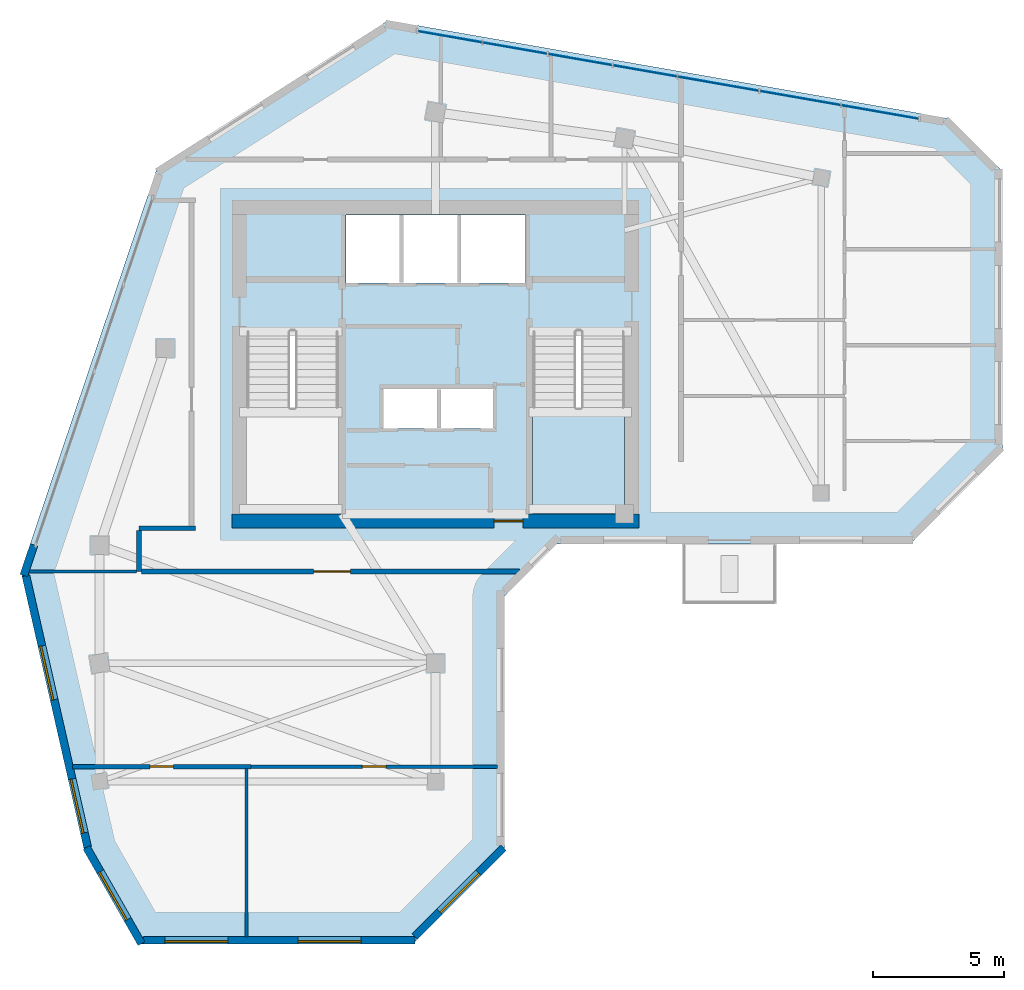
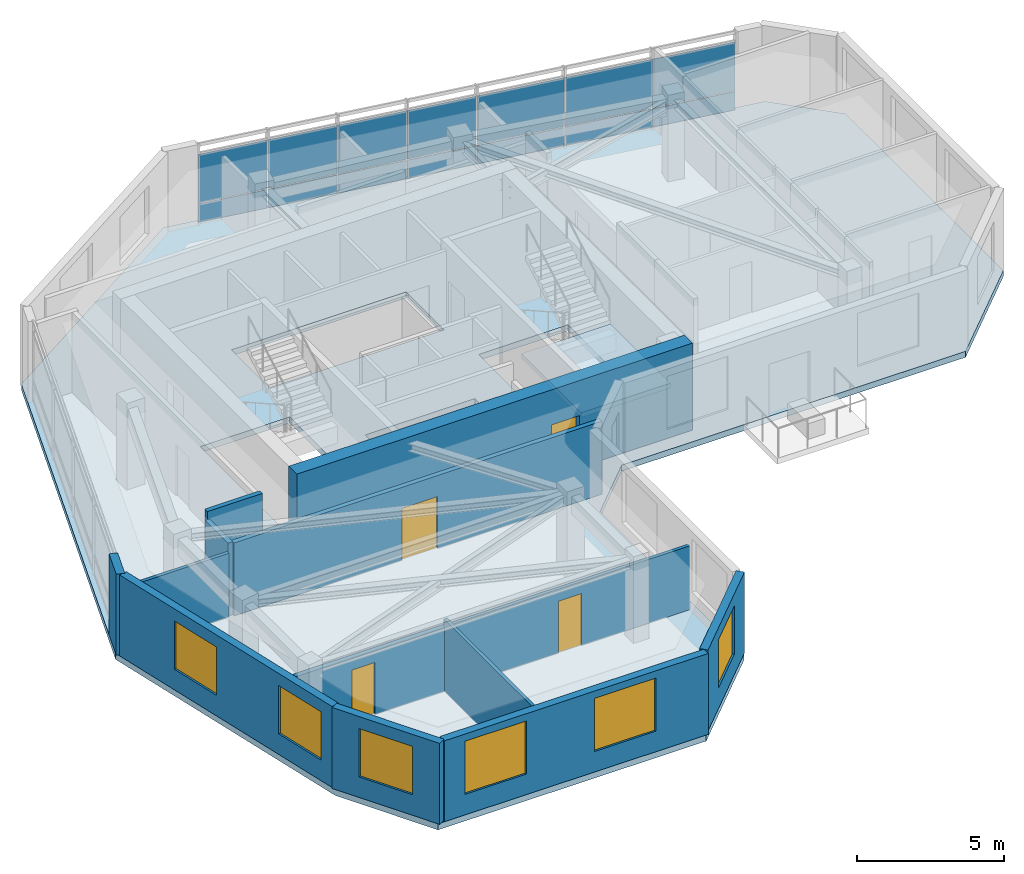
# One storey, part 3 of 9: 14 plates, 13 walls, 6 windows, 4 doors, 2 slabs, 10 openings, 2 elements without a shape of their own.
"""IFC4 building model written with IfcOpenShell, lengths in metres."""

from ifc_helpers import new_model, si_unit, direction, frame, frame_2d, origin, place, context, subcontext, project, spatial, polyline, rectangle, outline, extrude, source, transform, mapped, material, layer, layer_set, type_object, element, fill, aggregate, save


model = new_model("IFC4")

# Units and contexts
model_context = context("Model", 3, precision=1e-05, world=origin(), true_north=direction((0.0, 1.0)))
body_context = subcontext(model_context, "Body", "Model", "MODEL_VIEW")
ifc_project = project(units=[si_unit("LENGTHUNIT", "METRE"), si_unit("AREAUNIT", "SQUARE_METRE"), si_unit("VOLUMEUNIT", "CUBIC_METRE"), si_unit("PLANEANGLEUNIT", "RADIAN"), si_unit("MASSUNIT", "GRAM", prefix="KILO")], contexts=[model_context])

# Site, building, storey
site_placement = place(None, origin())
site = spatial("IfcSite", under=ifc_project, at=site_placement, CompositionType="ELEMENT")
building_placement = place(site_placement, origin())
building = spatial("IfcBuilding", under=site, at=building_placement, Name="Calvemar Wedge Station Tower", CompositionType="ELEMENT")
storey_placement = place(building_placement, frame((0.0, 0.0, 274.5)))
storey = spatial("IfcBuildingStorey", under=building, at=storey_placement, Name="L70", CompositionType="ELEMENT", Elevation=274.5)

# Curtain wall, plates
ifc_material_1 = material(Name="Anodised aluminium 6063-T6", Category="aluminium")
curtain_wall_type = type_object("IfcCurtainWallType", Name="CW4", PredefinedType="NOTDEFINED", material=ifc_material_1)
curtain_wall_placement = place(storey_placement, origin())
curtain_wall = element("IfcCurtainWall", 1, at=curtain_wall_placement, inside=storey, type_object=curtain_wall_type, Name="Storey L70 CW4 Recessed Unitised Curtain Wall 10", PredefinedType="NOTDEFINED")
ifc_material_2 = material(Name="Low-E laminated insulated glass", Category="glass")
ifc_layer_1 = layer(ifc_material_2, 0.028076171875)
ifc_layer_set_1 = layer_set([ifc_layer_1], Name="Low-E laminated insulated glass")
plate_type_1 = type_object("IfcPlateType", Name="CW4-GLZ", PredefinedType="CURTAIN_PANEL", material=ifc_layer_set_1)
plate_1_placement = place(storey_placement, frame((42.2158203125, 49.25, 0.8701171875), z_axis=(0.0, 0.0, 1.0), x_axis=(-0.985039826474, 0.172326841378, 0.0)))
plate_1 = element("IfcPlate", 2, at=plate_1_placement, type_object=plate_type_1, Name="CW4 vision glass panel 1", PredefinedType="CURTAIN_PANEL", context=body_context, shape_type="SweptSolid", body=[
    extrude(rectangle(XDim=2.9892578125, YDim=0.028076171875, at=frame_2d((1.49462890625, 0.0))), origin(), (0.0, 0.0, 1.0), 2.009765625),
])
plate_2_placement = place(storey_placement, frame((39.23583984375, 49.771484375, 0.8701171875), z_axis=(0.0, 0.0, 1.0), x_axis=(-0.985045707379, 0.172293222078, 0.0)))
plate_2 = element("IfcPlate", 3, at=plate_2_placement, type_object=plate_type_1, Name="CW4 vision glass panel 2", PredefinedType="CURTAIN_PANEL", context=body_context, shape_type="SweptSolid", body=[
    extrude(rectangle(XDim=3.12744140625, YDim=0.028076171875, at=frame_2d((1.563720703125, 0.0))), origin(), (0.0, 0.0, 1.0), 2.009765625),
])
plate_3_placement = place(storey_placement, frame((36.119873046875, 50.31640625, 0.8701171875), z_axis=(0.0, 0.0, 1.0), x_axis=(-0.985032455421, 0.17236896985, 0.0)))
plate_3 = element("IfcPlate", 4, at=plate_3_placement, type_object=plate_type_1, Name="CW4 vision glass panel 3", PredefinedType="CURTAIN_PANEL", context=body_context, shape_type="SweptSolid", body=[
    extrude(rectangle(XDim=3.12744140625, YDim=0.028076171875, at=frame_2d((1.563720703125, 0.0))), origin(), (0.0, 0.0, 1.0), 2.009765625),
])
plate_4_placement = place(storey_placement, frame((33.00390625, 50.861572265625, 0.8701171875), z_axis=(0.0, 0.0, 1.0), x_axis=(-0.985043436117, 0.172306206978, 0.0)))
plate_4 = element("IfcPlate", 5, at=plate_4_placement, type_object=plate_type_1, Name="CW4 vision glass panel 4", PredefinedType="CURTAIN_PANEL", context=body_context, shape_type="SweptSolid", body=[
    extrude(rectangle(XDim=2.476806640625, YDim=0.028076171875, at=frame_2d((1.23828125, 0.0))), origin(), (0.0, 0.0, 1.0), 2.009765625),
])
plate_5_placement = place(storey_placement, frame((30.52880859375, 51.294677734375, 0.8701171875), z_axis=(0.0, 0.0, 1.0), x_axis=(-0.985040509104, 0.172322939343, 0.0)))
plate_5 = element("IfcPlate", 6, at=plate_5_placement, type_object=plate_type_1, Name="CW4 vision glass panel 5", PredefinedType="CURTAIN_PANEL", context=body_context, shape_type="SweptSolid", body=[
    extrude(rectangle(XDim=2.4765625, YDim=0.028076171875, at=frame_2d((1.23828125, 0.0))), origin(), (0.0, 0.0, 1.0), 2.009765625),
])
plate_6_placement = place(storey_placement, frame((28.053955078125, 51.7275390625, 0.8701171875), z_axis=(0.0, 0.0, 1.0), x_axis=(-0.985028799202, 0.172389862645, 0.0)))
plate_6 = element("IfcPlate", 7, at=plate_6_placement, type_object=plate_type_1, Name="CW4 vision glass panel 6", PredefinedType="CURTAIN_PANEL", context=body_context, shape_type="SweptSolid", body=[
    extrude(rectangle(XDim=2.4853515625, YDim=0.028076171875, at=frame_2d((1.24267578125, 0.0))), origin(), (0.0, 0.0, 1.0), 2.009765625),
])
plate_7_placement = place(storey_placement, frame((25.5703125, 52.162109375, 0.8701171875), z_axis=(0.0, 0.0, 1.0), x_axis=(-0.985039641183, 0.172327900522, 0.0)))
plate_7 = element("IfcPlate", 8, at=plate_7_placement, type_object=plate_type_1, Name="CW4 vision glass panel 7", PredefinedType="CURTAIN_PANEL", context=body_context, shape_type="SweptSolid", body=[
    extrude(rectangle(XDim=2.48486328125, YDim=0.028076171875, at=frame_2d((1.242431640625, 0.0))), origin(), (0.0, 0.0, 1.0), 2.009765625),
])
ifc_material_3 = material(Name="Oxidized bronze aluminium spandrel panel 5005-H24", Category="aluminium")
ifc_layer_2 = layer(ifc_material_3, 0.0400390625)
ifc_layer_set_2 = layer_set([ifc_layer_2], Name="Oxidized bronze aluminium spandrel panel 5005-H24")
plate_type_2 = type_object("IfcPlateType", Name="CW4-SPD", PredefinedType="SHEET", material=ifc_layer_set_2)
plate_8_placement = place(storey_placement, frame((42.2158203125, 49.25, 0.080078125), z_axis=(0.0, 0.0, 1.0), x_axis=(-0.985039826474, 0.172326841378, 0.0)))
plate_8 = element("IfcPlate", 9, at=plate_8_placement, type_object=plate_type_2, Name="CW4 bronze spandrel panel 1", PredefinedType="SHEET", context=body_context, shape_type="SweptSolid", body=[
    extrude(rectangle(XDim=2.9892578125, YDim=0.0400390625, at=frame_2d((1.49462890625, 0.0))), origin(), (0.0, 0.0, 1.0), 0.75),
])
plate_9_placement = place(storey_placement, frame((39.23583984375, 49.771484375, 0.080078125), z_axis=(0.0, 0.0, 1.0), x_axis=(-0.985045707379, 0.172293222078, 0.0)))
plate_9 = element("IfcPlate", 10, at=plate_9_placement, type_object=plate_type_2, Name="CW4 bronze spandrel panel 2", PredefinedType="SHEET", context=body_context, shape_type="SweptSolid", body=[
    extrude(rectangle(XDim=3.12744140625, YDim=0.0400390625, at=frame_2d((1.563720703125, 0.0))), origin(), (0.0, 0.0, 1.0), 0.75),
])
plate_10_placement = place(storey_placement, frame((36.119873046875, 50.31640625, 0.080078125), z_axis=(0.0, 0.0, 1.0), x_axis=(-0.985032455421, 0.17236896985, 0.0)))
plate_10 = element("IfcPlate", 11, at=plate_10_placement, type_object=plate_type_2, Name="CW4 bronze spandrel panel 3", PredefinedType="SHEET", context=body_context, shape_type="SweptSolid", body=[
    extrude(rectangle(XDim=3.12744140625, YDim=0.0400390625, at=frame_2d((1.563720703125, 0.0))), origin(), (0.0, 0.0, 1.0), 0.75),
])
plate_11_placement = place(storey_placement, frame((33.00390625, 50.861572265625, 0.080078125), z_axis=(0.0, 0.0, 1.0), x_axis=(-0.985043436117, 0.172306206978, 0.0)))
plate_11 = element("IfcPlate", 12, at=plate_11_placement, type_object=plate_type_2, Name="CW4 bronze spandrel panel 4", PredefinedType="SHEET", context=body_context, shape_type="SweptSolid", body=[
    extrude(rectangle(XDim=2.476806640625, YDim=0.0400390625, at=frame_2d((1.23828125, 0.0))), origin(), (0.0, 0.0, 1.0), 0.75),
])
plate_12_placement = place(storey_placement, frame((30.52880859375, 51.294677734375, 0.080078125), z_axis=(0.0, 0.0, 1.0), x_axis=(-0.985040509104, 0.172322939343, 0.0)))
plate_12 = element("IfcPlate", 13, at=plate_12_placement, type_object=plate_type_2, Name="CW4 bronze spandrel panel 5", PredefinedType="SHEET", context=body_context, shape_type="SweptSolid", body=[
    extrude(rectangle(XDim=2.4765625, YDim=0.0400390625, at=frame_2d((1.23828125, 0.0))), origin(), (0.0, 0.0, 1.0), 0.75),
])
plate_13_placement = place(storey_placement, frame((28.053955078125, 51.7275390625, 0.080078125), z_axis=(0.0, 0.0, 1.0), x_axis=(-0.985028799202, 0.172389862645, 0.0)))
plate_13 = element("IfcPlate", 14, at=plate_13_placement, type_object=plate_type_2, Name="CW4 bronze spandrel panel 6", PredefinedType="SHEET", context=body_context, shape_type="SweptSolid", body=[
    extrude(rectangle(XDim=2.4853515625, YDim=0.0400390625, at=frame_2d((1.24267578125, 0.0))), origin(), (0.0, 0.0, 1.0), 0.75),
])
plate_14_placement = place(storey_placement, frame((25.5703125, 52.162109375, 0.080078125), z_axis=(0.0, 0.0, 1.0), x_axis=(-0.985039641183, 0.172327900522, 0.0)))
plate_14 = element("IfcPlate", 15, at=plate_14_placement, type_object=plate_type_2, Name="CW4 bronze spandrel panel 7", PredefinedType="SHEET", context=body_context, shape_type="SweptSolid", body=[
    extrude(rectangle(XDim=2.48486328125, YDim=0.0400390625, at=frame_2d((1.242431640625, 0.0))), origin(), (0.0, 0.0, 1.0), 0.75),
])
aggregate(curtain_wall, [plate_8, plate_1, plate_9, plate_2, plate_10, plate_3, plate_11, plate_4, plate_12, plate_5, plate_13, plate_6, plate_14, plate_7])

# Stair, slab
ifc_material_4 = material(Name="Concrete C45", Category="concrete")
stair_type = type_object("IfcStairType", Name="ST-TYPE-3600", PredefinedType="HALF_TURN_STAIR", material=ifc_material_4)
stair_placement = place(storey_placement, origin())
stair = element("IfcStair", 16, at=stair_placement, inside=storey, type_object=stair_type, Name="L70 Pressurized Core Exit Stair ST-C2", PredefinedType="HALF_TURN_STAIR")
ifc_layer_3 = layer(ifc_material_4, 0.199951171875)
ifc_layer_set_3 = layer_set([ifc_layer_3], Name="Concrete C45")
slab_type_1 = type_object("IfcSlabType", Name="SL-STAIR-LND-200", PredefinedType="LANDING", material=ifc_layer_set_3)
slab_1_placement = place(storey_placement, frame((0.0, 0.0, 1.60009765625)))
slab_1 = element("IfcSlab", 17, at=slab_1_placement, type_object=slab_type_1, Name="ST-C2 landing 1", PredefinedType="LANDING", context=body_context, shape_type="SweptSolid", body=[
    extrude(outline(polyline([(27.5, 38.25), (27.5, 34.199951171875), (31.0, 34.199951171875), (31.0, 38.25), (27.5, 38.25)])), origin(), (0.0, 0.0, 1.0), 0.199951171875),
])
aggregate(stair, [slab_1])

# Slab
ifc_material_5 = material(Name="Concrete C50", Category="concrete")
ifc_layer_4 = layer(ifc_material_5, 0.25)
ifc_layer_set_4 = layer_set([ifc_layer_4], Name="Concrete C50")
slab_type_2 = type_object("IfcSlabType", Name="SL-TYP-250", PredefinedType="FLOOR", material=ifc_layer_set_4)
slab_2_placement = place(storey_placement, frame((0.0, 0.0, -0.25)))
element("IfcSlab", 18, at=slab_2_placement, inside=storey, type_object=slab_type_2, Name="Storey L70 Structural Floor Slab", PredefinedType="FLOOR", context=body_context, shape_type="SweptSolid", body=[
    extrude(outline(polyline([(8.0, 32.0), (10.431884765625, 21.300048828125), (12.431884765625, 17.800048828125), (22.931884765625, 17.800048828125), (26.431884765625, 21.300048828125), (26.431884765625, 31.055908203125), (28.431884765625, 33.055908203125), (41.89990234375, 33.055908203125), (45.39990234375, 36.555908203125), (45.39990234375, 47.256103515625), (43.39990234375, 49.256103515625), (22.0, 53.0), (13.199951171875, 47.39990234375), (8.0, 32.0)]), holes=[polyline([(20.10009765625, 34.199951171875), (20.10009765625, 41.14990234375), (16.60009765625, 41.14990234375), (16.60009765625, 34.199951171875), (20.10009765625, 34.199951171875)]), polyline([(31.0, 34.199951171875), (31.0, 41.14990234375), (27.5, 41.14990234375), (27.5, 34.199951171875), (31.0, 34.199951171875)]), polyline([(23.929931640625, 38.949951171875), (21.7900390625, 38.949951171875), (21.7900390625, 37.449951171875), (23.929931640625, 37.449951171875), (23.93994140625, 37.449951171875), (26.080078125, 37.449951171875), (26.080078125, 38.949951171875), (23.93994140625, 38.949951171875), (23.929931640625, 38.949951171875)]), polyline([(27.219970703125, 43.0), (27.219970703125, 45.580078125), (20.3798828125, 45.580078125), (20.3798828125, 43.0), (27.219970703125, 43.0)])]), origin(), (0.0, 0.0, 1.0), 0.25),
])

# Wall, opening, door
ifc_material_6 = material(Name="Concrete C60", Category="concrete")
ifc_layer_5 = layer(ifc_material_6, 0.550048828125)
ifc_layer_set_5 = layer_set([ifc_layer_5], Name="Concrete C60")
wall_type_1 = type_object("IfcWallType", Name="SW-CORE-550", PredefinedType="SHEAR", material=ifc_layer_set_5)
wall_1_placement = place(storey_placement, frame((16.050048828125, 33.925048828125, 0.0), z_axis=(0.0, 0.0, 1.0), x_axis=(1.0, 0.0, 0.0)))
wall_1 = element("IfcWall", 19, at=wall_1_placement, inside=storey, type_object=wall_type_1, Name="Storey L70 Core Shear Wall S", PredefinedType="SHEAR", context=body_context, shape_type="SweptSolid", body=[
    extrude(rectangle(XDim=15.5, YDim=0.550048828125, at=frame_2d((7.75, 0.0))), origin(), (0.0, 0.0, 1.0), 3.60009765625),
])
shared_shape_1 = source(origin(), body_context, "Body", "SweptSolid", [
    extrude(rectangle(XDim=1.10009765625, YDim=2.14990234375, at=frame_2d((0.550048828125, 1.074951171875))), frame((0.0, 0.28515625, 0.0), z_axis=(0.0, -1.0, 0.0), x_axis=(1.0, 0.0, 0.0)), (0.0, 0.0, 1.0), 0.570068359375),
])
opening_1_placement = place(wall_1_placement, frame((9.97998046875, 0.0, 0.0)))
opening_1 = element("IfcOpeningElement", 20, at=opening_1_placement, cuts=wall_1, Name="Opening FD-90", PredefinedType="OPENING", context=body_context, shape_type="MappedRepresentation", body=[
    mapped(shared_shape_1, transform((0.0, 0.0, 0.0), scale=1.0)),
])
ifc_material_7 = material(Name="Galvanized fire-rated steel door leaf P-90", Category="steel")
door_type_1 = type_object("IfcDoorType", Name="DR-FD90-1100", OperationType="NOTDEFINED", PredefinedType="DOOR", material=ifc_material_7)
shared_shape_2 = source(origin(), body_context, "Body", "SweptSolid", [
    extrude(rectangle(XDim=1.10009765625, YDim=2.14990234375, at=frame_2d((0.550048828125, 1.074951171875))), frame((0.0, 0.02490234375, 0.0), z_axis=(0.0, -1.0, 0.0), x_axis=(1.0, 0.0, 0.0)), (0.0, 0.0, 1.0), 0.050048828125),
])
door_1_placement = place(opening_1_placement, origin())
door_1 = element("IfcDoor", 21, at=door_1_placement, inside=storey, type_object=door_type_1, Name="L70 Passenger Lift Lobby Door", OperationType="SINGLE_SWING_RIGHT", OverallHeight=2.14990234375, OverallWidth=1.10009765625, PredefinedType="DOOR", context=body_context, shape_type="MappedRepresentation", body=[
    mapped(shared_shape_2, transform((0.0, 0.0, 0.0), scale=1.0)),
])
fill(opening_1, door_1)

# Walls
ifc_material_8 = material(Name="Double-stud fire-rated corridor partition")
ifc_layer_6 = layer(ifc_material_8, 0.179931640625)
ifc_layer_set_6 = layer_set([ifc_layer_6], Name="Double-stud fire-rated corridor partition")
wall_type_2 = type_object("IfcWallType", Name="W-CORR-180", PredefinedType="PARTITIONING", material=ifc_layer_set_6)
wall_2_placement = place(storey_placement, frame((12.5, 33.64990234375, 0.0), z_axis=(0.0, 0.0, 1.0), x_axis=(1.0, 0.0, 0.0)))
element("IfcWall", 22, at=wall_2_placement, inside=storey, type_object=wall_type_2, Name="Storey L70 Interior Partition WL-L70-007", PredefinedType="PARTITIONING", context=body_context, shape_type="SweptSolid", body=[
    extrude(rectangle(XDim=2.159912109375, YDim=0.179931640625, at=frame_2d((1.080078125, 0.0))), origin(), (0.0, 0.0, 1.0), 3.35009765625),
])
wall_3_placement = place(storey_placement, frame((12.5, 32.0, 0.0), z_axis=(0.0, 0.0, 1.0), x_axis=(0.0, 1.0, 0.0)))
element("IfcWall", 23, at=wall_3_placement, inside=storey, type_object=wall_type_2, Name="Storey L70 Interior Partition WL-L70-008", PredefinedType="PARTITIONING", context=body_context, shape_type="SweptSolid", body=[
    extrude(rectangle(XDim=1.555908203125, YDim=0.179931640625, at=frame_2d((0.77783203125, 0.0))), origin(), (0.0, 0.0, 1.0), 3.01904296875),
])

# Wall, opening, door
wall_4_placement = place(storey_placement, frame((27.001220703125, 32.0, 0.0), z_axis=(0.0, 0.0, 1.0), x_axis=(-1.0, 0.0, 0.0)))
wall_4 = element("IfcWall", 24, at=wall_4_placement, inside=storey, type_object=wall_type_2, Name="Storey L70 Interior Partition WL-L70-009", PredefinedType="PARTITIONING", context=body_context, shape_type="SweptSolid", body=[
    extrude(rectangle(XDim=14.4072265625, YDim=0.179931640625, at=frame_2d((7.20361328125, 0.0))), origin(), (0.0, 0.0, 1.0), 3.01904296875),
])
shared_shape_3 = source(origin(), body_context, "Body", "SweptSolid", [
    extrude(rectangle(XDim=1.39990234375, YDim=2.14990234375, at=frame_2d((0.699951171875, 1.074951171875))), frame((0.0, 0.10009765625, 0.0), z_axis=(0.0, -1.0, 0.0), x_axis=(1.0, 0.0, 0.0)), (0.0, 0.0, 1.0), 0.199951171875),
])
opening_2_placement = place(wall_4_placement, frame((6.443115234375, 0.0, 0.0)))
opening_2 = element("IfcOpeningElement", 25, at=opening_2_placement, cuts=wall_4, Name="Opening DD-140", PredefinedType="OPENING", context=body_context, shape_type="MappedRepresentation", body=[
    mapped(shared_shape_3, transform((0.0, 0.0, 0.0), scale=1.0)),
])
ifc_material_9 = material(Name="Double-leaf corridor acoustic fire door EI 60")
door_type_2 = type_object("IfcDoorType", Name="DR-DBL-1400", OperationType="DOUBLE_DOOR_SINGLE_SWING", PredefinedType="DOOR", material=ifc_material_9)
shared_shape_4 = source(origin(), body_context, "Body", "SweptSolid", [
    extrude(rectangle(XDim=1.39990234375, YDim=2.14990234375, at=frame_2d((0.699951171875, 1.074951171875))), frame((0.0, 0.02490234375, 0.0), z_axis=(0.0, -1.0, 0.0), x_axis=(1.0, 0.0, 0.0)), (0.0, 0.0, 1.0), 0.050048828125),
])
door_2_placement = place(opening_2_placement, origin())
door_2 = element("IfcDoor", 26, at=door_2_placement, inside=storey, type_object=door_type_2, Name="L70 Panoramic Sky Dining Hall Door", OperationType="SINGLE_SWING_RIGHT", OverallHeight=2.14990234375, OverallWidth=1.39990234375, PredefinedType="DOOR", context=body_context, shape_type="MappedRepresentation", body=[
    mapped(shared_shape_4, transform((0.0, 0.0, 0.0), scale=1.0)),
])
fill(opening_2, door_2)

wall_5_placement = place(storey_placement, frame((16.760009765625, 24.56494140625, 0.0), z_axis=(0.0, 0.0, 1.0), x_axis=(-1.0, 0.0, 0.0)))
wall_5 = element("IfcWall", 27, at=wall_5_placement, inside=storey, type_object=wall_type_2, Name="Storey L70 Interior Partition WL-L70-036", PredefinedType="PARTITIONING", context=body_context, shape_type="SweptSolid", body=[
    extrude(rectangle(XDim=6.79833984375, YDim=0.179931640625, at=frame_2d((3.399169921875, 0.0))), origin(), (0.0, 0.0, 1.0), 2.64208984375),
])
shared_shape_5 = source(origin(), body_context, "Body", "SweptSolid", [
    extrude(rectangle(XDim=0.89990234375, YDim=2.14990234375, at=frame_2d((0.449951171875, 1.074951171875))), frame((0.0, 0.10009765625, 0.0), z_axis=(0.0, -1.0, 0.0), x_axis=(1.0, 0.0, 0.0)), (0.0, 0.0, 1.0), 0.199951171875),
])
opening_3_placement = place(wall_5_placement, frame((2.94921875, 0.0, 0.0)))
opening_3 = element("IfcOpeningElement", 28, at=opening_3_placement, cuts=wall_5, Name="Opening FD-60", PredefinedType="OPENING", context=body_context, shape_type="MappedRepresentation", body=[
    mapped(shared_shape_5, transform((0.0, 0.0, 0.0), scale=1.0)),
])
ifc_material_10 = material(Name="Fire-rated acoustic timber-core entrance door EI 60", Category="wood")
door_type_3 = type_object("IfcDoorType", Name="DR-FD60-900", OperationType="NOTDEFINED", PredefinedType="DOOR", material=ifc_material_10)
shared_shape_6 = source(origin(), body_context, "Body", "SweptSolid", [
    extrude(rectangle(XDim=0.89990234375, YDim=2.14990234375, at=frame_2d((0.449951171875, 1.074951171875))), frame((0.0, 0.02490234375, 0.0), z_axis=(0.0, -1.0, 0.0), x_axis=(1.0, 0.0, 0.0)), (0.0, 0.0, 1.0), 0.050048828125),
])
door_3_placement = place(opening_3_placement, origin())
door_3 = element("IfcDoor", 29, at=door_3_placement, inside=storey, type_object=door_type_3, Name="L70 Communal Sky Kitchen Door", OperationType="SINGLE_SWING_LEFT", OverallHeight=2.14990234375, OverallWidth=0.89990234375, PredefinedType="DOOR", context=body_context, shape_type="MappedRepresentation", body=[
    mapped(shared_shape_6, transform((0.0, 0.0, 0.0), scale=1.0)),
])
fill(opening_3, door_3)

# Wall, opening, window
ifc_material_11 = material(Name="Precast concrete C45", Category="concrete")
ifc_layer_7 = layer(ifc_material_11, 0.300048828125)
ifc_layer_set_7 = layer_set([ifc_layer_7], Name="Precast concrete C45")
wall_type_3 = type_object("IfcWallType", Name="W-EXT-GFRC-300", PredefinedType="SOLIDWALL", material=ifc_layer_set_7)
wall_6_placement = place(storey_placement, frame((10.498779296875, 21.4853515625, 0.0), z_axis=(0.0, 0.0, 1.0), x_axis=(0.496163848656, -0.868228907194, 0.0)))
wall_6 = element("IfcWall", 30, at=wall_6_placement, inside=storey, type_object=wall_type_3, Name="Storey L70 Bronze GFRC Exterior Wall 1", PredefinedType="SOLIDWALL", context=body_context, shape_type="SweptSolid", body=[
    extrude(rectangle(XDim=4.221923828125, YDim=0.300048828125, at=frame_2d((2.11083984375, 0.0))), origin(), (0.0, 0.0, 1.0), 3.35009765625),
])
shared_shape_7 = source(origin(), body_context, "Body", "SweptSolid", [
    extrude(rectangle(XDim=2.10009765625, YDim=2.0, at=frame_2d((1.050048828125, 1.0))), frame((0.0, 0.16015625, 0.0), z_axis=(0.0, -1.0, 0.0), x_axis=(1.0, 0.0, 0.0)), (0.0, 0.0, 1.0), 0.320068359375),
])
opening_4_placement = place(wall_6_placement, frame((1.06103515625, 0.0, 0.85009765625)))
opening_4 = element("IfcOpeningElement", 31, at=opening_4_placement, cuts=wall_6, Name="Opening W4", PredefinedType="OPENING", context=body_context, shape_type="MappedRepresentation", body=[
    mapped(shared_shape_7, transform((0.0, 0.0, 0.0), scale=1.0)),
])
window_type_1 = type_object("IfcWindowType", Name="WIN-EXT-4", PartitioningType="SINGLE_PANEL", PredefinedType="WINDOW", material=ifc_material_2)
shared_shape_8 = source(origin(), body_context, "Body", "SweptSolid", [
    extrude(rectangle(XDim=2.10009765625, YDim=2.0, at=frame_2d((1.050048828125, 1.0))), frame((0.0, -0.014892578125, 0.0), z_axis=(0.0, -1.0, 0.0), x_axis=(1.0, 0.0, 0.0)), (0.0, 0.0, 1.0), 0.06005859375),
])
window_1_placement = place(opening_4_placement, origin())
window_1 = element("IfcWindow", 32, at=window_1_placement, inside=storey, type_object=window_type_1, Name="Storey L70 Recessed Window 1.1", OverallHeight=2.0, OverallWidth=2.10009765625, PartitioningType="SINGLE_PANEL", PredefinedType="WINDOW", context=body_context, shape_type="MappedRepresentation", body=[
    mapped(shared_shape_8, transform((0.0, 0.0, 0.0), scale=1.0)),
])
fill(opening_4, window_1)

# Wall, openings, windows
wall_7_placement = place(storey_placement, frame((12.677978515625, 17.949951171875, 0.0), z_axis=(0.0, 0.0, 1.0), x_axis=(1.0, 0.0, 0.0)))
wall_7 = element("IfcWall", 33, at=wall_7_placement, inside=storey, type_object=wall_type_3, Name="Storey L70 Bronze GFRC Exterior Wall 2", PredefinedType="SOLIDWALL", context=body_context, shape_type="SweptSolid", body=[
    extrude(rectangle(XDim=10.342041015625, YDim=0.300048828125, at=frame_2d((5.1708984375, 0.0))), origin(), (0.0, 0.0, 1.0), 3.35009765625),
])
shared_shape_9 = source(origin(), body_context, "Body", "SweptSolid", [
    extrude(rectangle(XDim=2.39990234375, YDim=2.199951171875, at=frame_2d((1.199951171875, 1.10009765625))), frame((0.0, 0.16015625, 0.0), z_axis=(0.0, -1.0, 0.0), x_axis=(1.0, 0.0, 0.0)), (0.0, 0.0, 1.0), 0.320068359375),
])
opening_5_placement = place(wall_7_placement, frame((0.81103515625, 0.0, 0.85009765625)))
opening_5 = element("IfcOpeningElement", 34, at=opening_5_placement, cuts=wall_7, Name="Opening W1", PredefinedType="OPENING", context=body_context, shape_type="MappedRepresentation", body=[
    mapped(shared_shape_9, transform((0.0, 0.0, 0.0), scale=1.0)),
])
opening_6_placement = place(wall_7_placement, frame((5.882080078125, 0.0, 0.85009765625)))
opening_6 = element("IfcOpeningElement", 35, at=opening_6_placement, cuts=wall_7, Name="Opening W1", PredefinedType="OPENING", context=body_context, shape_type="MappedRepresentation", body=[
    mapped(shared_shape_9, transform((0.0, 0.0, 0.0), scale=1.0)),
])
window_type_2 = type_object("IfcWindowType", Name="WIN-EXT-1", PartitioningType="SINGLE_PANEL", PredefinedType="WINDOW", material=ifc_material_2)
shared_shape_10 = source(origin(), body_context, "Body", "SweptSolid", [
    extrude(rectangle(XDim=2.39990234375, YDim=2.199951171875, at=frame_2d((1.199951171875, 1.10009765625))), frame((0.0, -0.014892578125, 0.0), z_axis=(0.0, -1.0, 0.0), x_axis=(1.0, 0.0, 0.0)), (0.0, 0.0, 1.0), 0.06005859375),
])
window_2_placement = place(opening_5_placement, origin())
window_2 = element("IfcWindow", 36, at=window_2_placement, inside=storey, type_object=window_type_2, Name="Storey L70 Recessed Window 2.1", OverallHeight=2.199951171875, OverallWidth=2.39990234375, PartitioningType="SINGLE_PANEL", PredefinedType="WINDOW", context=body_context, shape_type="MappedRepresentation", body=[
    mapped(shared_shape_10, transform((0.0, 0.0, 0.0), scale=1.0)),
])
fill(opening_5, window_2)
window_3_placement = place(opening_6_placement, origin())
window_3 = element("IfcWindow", 37, at=window_3_placement, inside=storey, type_object=window_type_2, Name="Storey L70 Recessed Window 2.2", OverallHeight=2.199951171875, OverallWidth=2.39990234375, PartitioningType="SINGLE_PANEL", PredefinedType="WINDOW", context=body_context, shape_type="MappedRepresentation", body=[
    mapped(shared_shape_10, transform((0.0, 0.0, 0.0), scale=1.0)),
])
fill(opening_6, window_3)

# Wall, opening, window
wall_8_placement = place(storey_placement, frame((23.0078125, 18.087890625, 0.0), z_axis=(0.0, 0.0, 1.0), x_axis=(0.707106781187, 0.707106781187, 0.0)))
wall_8 = element("IfcWall", 38, at=wall_8_placement, inside=storey, type_object=wall_type_3, Name="Storey L70 Bronze GFRC Exterior Wall 3", PredefinedType="SOLIDWALL", context=body_context, shape_type="SweptSolid", body=[
    extrude(rectangle(XDim=4.780517578125, YDim=0.300048828125, at=frame_2d((2.39013671875, 0.0))), origin(), (0.0, 0.0, 1.0), 3.35009765625),
])
opening_7_placement = place(wall_8_placement, frame((1.340087890625, 0.0, 0.85009765625)))
opening_7 = element("IfcOpeningElement", 39, at=opening_7_placement, cuts=wall_8, Name="Opening W4", PredefinedType="OPENING", context=body_context, shape_type="MappedRepresentation", body=[
    mapped(shared_shape_7, transform((0.0, 0.0, 0.0), scale=1.0)),
])
window_4_placement = place(opening_7_placement, origin())
window_4 = element("IfcWindow", 40, at=window_4_placement, inside=storey, type_object=window_type_1, Name="Storey L70 Recessed Window 3.1", OverallHeight=2.0, OverallWidth=2.10009765625, PartitioningType="SINGLE_PANEL", PredefinedType="WINDOW", context=body_context, shape_type="MappedRepresentation", body=[
    mapped(shared_shape_8, transform((0.0, 0.0, 0.0), scale=1.0)),
])
fill(opening_7, window_4)

# Wall
wall_9_placement = place(storey_placement, frame((8.501220703125, 33.015380859375, 0.0), z_axis=(0.0, 0.0, 1.0), x_axis=(-0.319916718913, -0.94744566755, 0.0)))
element("IfcWall", 41, at=wall_9_placement, inside=storey, type_object=wall_type_3, Name="Storey L70 Bronze GFRC Corner Pier 12B", PredefinedType="SOLIDWALL", context=body_context, shape_type="SweptSolid", body=[
    extrude(rectangle(XDim=1.230224609375, YDim=0.300048828125, at=frame_2d((0.615234375, 0.0))), origin(), (0.0, 0.0, 1.0), 3.35009765625),
])

# Wall, openings, windows
wall_10_placement = place(storey_placement, frame((8.19140625, 31.834228515625, 0.0), z_axis=(0.0, 0.0, 1.0), x_axis=(0.221636032737, -0.975129462683, 0.0)))
wall_10 = element("IfcWall", 42, at=wall_10_placement, inside=storey, type_object=wall_type_3, Name="Storey L70 Bronze GFRC Exterior Wall 13", PredefinedType="SOLIDWALL", context=body_context, shape_type="SweptSolid", body=[
    extrude(rectangle(XDim=10.602294921875, YDim=0.300048828125, at=frame_2d((5.30126953125, 0.0))), origin(), (0.0, 0.0, 1.0), 3.35009765625),
])
opening_8_placement = place(wall_10_placement, frame((2.739990234375, 0.0, 0.85009765625)))
opening_8 = element("IfcOpeningElement", 43, at=opening_8_placement, cuts=wall_10, Name="Opening W4", PredefinedType="OPENING", context=body_context, shape_type="MappedRepresentation", body=[
    mapped(shared_shape_7, transform((0.0, 0.0, 0.0), scale=1.0)),
])
opening_9_placement = place(wall_10_placement, frame((7.94091796875, 0.0, 0.85009765625)))
opening_9 = element("IfcOpeningElement", 44, at=opening_9_placement, cuts=wall_10, Name="Opening W4", PredefinedType="OPENING", context=body_context, shape_type="MappedRepresentation", body=[
    mapped(shared_shape_7, transform((0.0, 0.0, 0.0), scale=1.0)),
])
window_5_placement = place(opening_8_placement, origin())
window_5 = element("IfcWindow", 45, at=window_5_placement, inside=storey, type_object=window_type_1, Name="Storey L70 Recessed Window 13.1", OverallHeight=2.0, OverallWidth=2.10009765625, PartitioningType="SINGLE_PANEL", PredefinedType="WINDOW", context=body_context, shape_type="MappedRepresentation", body=[
    mapped(shared_shape_8, transform((0.0, 0.0, 0.0), scale=1.0)),
])
fill(opening_8, window_5)
window_6_placement = place(opening_9_placement, origin())
window_6 = element("IfcWindow", 46, at=window_6_placement, inside=storey, type_object=window_type_1, Name="Storey L70 Recessed Window 13.2", OverallHeight=2.0, OverallWidth=2.10009765625, PartitioningType="SINGLE_PANEL", PredefinedType="WINDOW", context=body_context, shape_type="MappedRepresentation", body=[
    mapped(shared_shape_8, transform((0.0, 0.0, 0.0), scale=1.0)),
])
fill(opening_9, window_6)

# Wall
ifc_material_12 = material(Name="Insulated acoustic gypsum stud partition")
ifc_layer_8 = layer(ifc_material_12, 0.125)
ifc_layer_set_8 = layer_set([ifc_layer_8], Name="Insulated acoustic gypsum stud partition")
wall_type_4 = type_object("IfcWallType", Name="W-PART-125", PredefinedType="PARTITIONING", material=ifc_layer_set_8)
wall_11_placement = place(storey_placement, frame((12.406005859375, 32.0, 0.0), z_axis=(0.0, 0.0, 1.0), x_axis=(-1.0, 0.0, 0.0)))
element("IfcWall", 47, at=wall_11_placement, inside=storey, type_object=wall_type_4, Name="Storey L70 Interior Partition WL-L70-019", PredefinedType="PARTITIONING", context=body_context, shape_type="SweptSolid", body=[
    extrude(rectangle(XDim=4.126220703125, YDim=0.125, at=frame_2d((2.06298828125, 0.0))), origin(), (0.0, 0.0, 1.0), 2.64208984375),
])

# Wall, opening, door
wall_12_placement = place(storey_placement, frame((26.1669921875, 24.56494140625, 0.0), z_axis=(0.0, 0.0, 1.0), x_axis=(-1.0, 0.0, 0.0)))
wall_12 = element("IfcWall", 48, at=wall_12_placement, inside=storey, type_object=wall_type_4, Name="Storey L70 Interior Partition WL-L70-037", PredefinedType="PARTITIONING", context=body_context, shape_type="SweptSolid", body=[
    extrude(rectangle(XDim=9.405029296875, YDim=0.125, at=frame_2d((4.70263671875, 0.0))), origin(), (0.0, 0.0, 1.0), 2.64208984375),
])
shared_shape_11 = source(origin(), body_context, "Body", "SweptSolid", [
    extrude(rectangle(XDim=0.89990234375, YDim=2.14990234375, at=frame_2d((0.449951171875, 1.074951171875))), frame((0.0, 0.072509765625, 0.0), z_axis=(0.0, -1.0, 0.0), x_axis=(1.0, 0.0, 0.0)), (0.0, 0.0, 1.0), 0.14501953125),
])
opening_10_placement = place(wall_12_placement, frame((4.25244140625, 0.0, 0.0)))
opening_10 = element("IfcOpeningElement", 49, at=opening_10_placement, cuts=wall_12, Name="Opening D-01", PredefinedType="OPENING", context=body_context, shape_type="MappedRepresentation", body=[
    mapped(shared_shape_11, transform((0.0, 0.0, 0.0), scale=1.0)),
])
ifc_material_13 = material(Name="Architectural hardwood acoustic swing door", Category="wood")
door_type_4 = type_object("IfcDoorType", Name="DR-INT-900", OperationType="NOTDEFINED", PredefinedType="DOOR", material=ifc_material_13)
shared_shape_12 = source(origin(), body_context, "Body", "SweptSolid", [
    extrude(rectangle(XDim=0.89990234375, YDim=2.14990234375, at=frame_2d((0.449951171875, 1.074951171875))), frame((0.0, 0.02490234375, 0.0), z_axis=(0.0, -1.0, 0.0), x_axis=(1.0, 0.0, 0.0)), (0.0, 0.0, 1.0), 0.050048828125),
])
door_4_placement = place(opening_10_placement, origin())
door_4 = element("IfcDoor", 50, at=door_4_placement, inside=storey, type_object=door_type_4, Name="L70 Music Salon Door", OperationType="SINGLE_SWING_RIGHT", OverallHeight=2.14990234375, OverallWidth=0.89990234375, PredefinedType="DOOR", context=body_context, shape_type="MappedRepresentation", body=[
    mapped(shared_shape_12, transform((0.0, 0.0, 0.0), scale=1.0)),
])
fill(opening_10, door_4)

# Wall
wall_13_placement = place(storey_placement, frame((16.60009765625, 24.49853515625, 0.0), z_axis=(0.0, 0.0, 1.0), x_axis=(0.0, -1.0, 0.0)))
element("IfcWall", 51, at=wall_13_placement, inside=storey, type_object=wall_type_4, Name="Storey L70 Interior Partition WL-L70-038", PredefinedType="PARTITIONING", context=body_context, shape_type="SweptSolid", body=[
    extrude(rectangle(XDim=6.43359375, YDim=0.125, at=frame_2d((3.216796875, 0.0))), origin(), (0.0, 0.0, 1.0), 2.97900390625),
])

save(model, "model.ifc")
